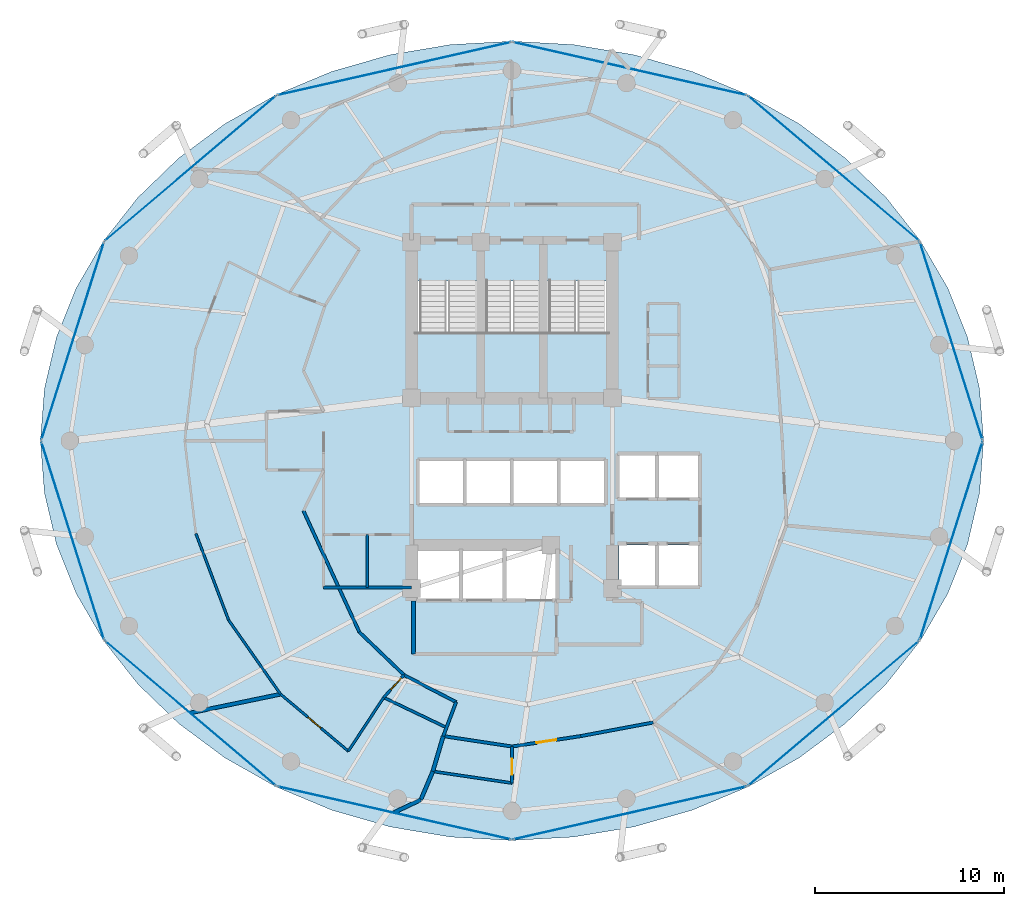
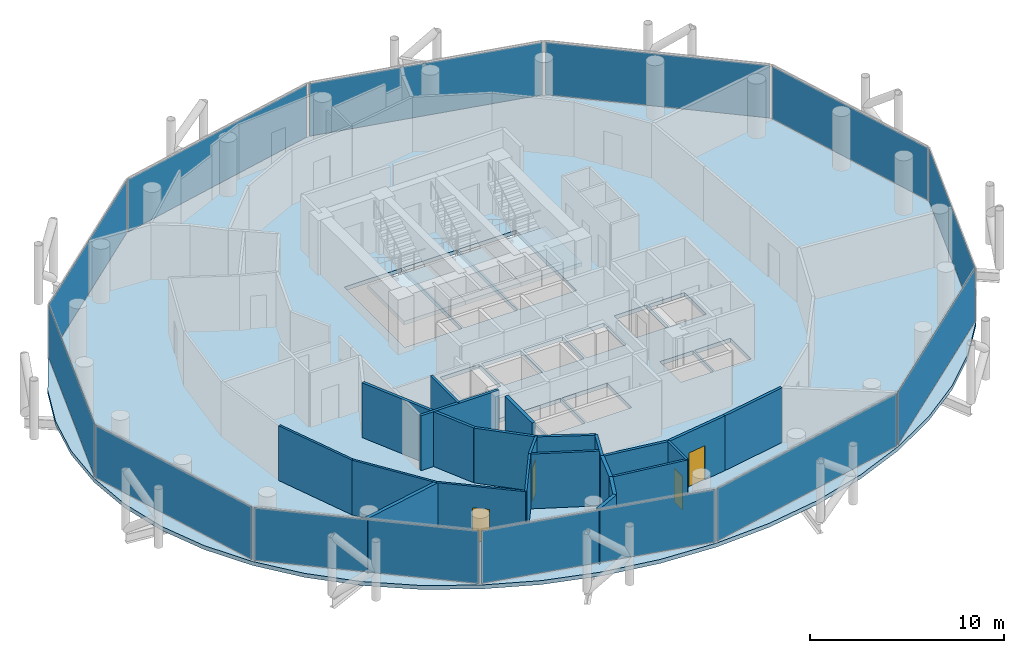
# One storey, part 21 of 26: 22 walls, 12 plates, 4 doors, 4 slabs, 4 openings, 15 elements without a shape of their own.
"""IFC4 building model written with IfcOpenShell, lengths in metres."""

from ifc_helpers import new_model, si_unit, direction, frame, frame_2d, origin, origin_2d, place, context, subcontext, project, spatial, polyline, rectangle, outline, extrude, material, layer, layer_set, type_object, element, fill, aggregate, save


model = new_model("IFC4")

# Units and contexts
model_context = context("Model", 3, precision=1e-05, world=origin(), true_north=direction((0.0, 1.0)))
body_context = subcontext(model_context, "Body", "Model", "MODEL_VIEW")
ifc_project = project(units=[si_unit("LENGTHUNIT", "METRE"), si_unit("AREAUNIT", "SQUARE_METRE"), si_unit("VOLUMEUNIT", "CUBIC_METRE"), si_unit("PLANEANGLEUNIT", "RADIAN"), si_unit("MASSUNIT", "GRAM", prefix="KILO")], contexts=[model_context])

# Site, building, storey
site_placement = place(None, origin())
site = spatial("IfcSite", under=ifc_project, at=site_placement, CompositionType="ELEMENT")
building_placement = place(site_placement, origin())
building = spatial("IfcBuilding", under=site, at=building_placement, Name="Nuhasar Tower", CompositionType="ELEMENT")
storey_placement = place(building_placement, frame((0.0, 0.0, 162.64990234375)))
storey = spatial("IfcBuildingStorey", under=building, at=storey_placement, Name="L39", CompositionType="ELEMENT", Elevation=162.64990234375)

# Curtain wall, plate
ifc_material_1 = material(Name="Aluminium 6063-T6", Category="aluminium")
ifc_layer_1 = layer(ifc_material_1, 0.199951171875)
ifc_layer_set_1 = layer_set([ifc_layer_1], Name="Aluminium 6063-T6")
curtain_wall_type = type_object("IfcCurtainWallType", Name="CW-Z2-HTL", PredefinedType="NOTDEFINED", material=ifc_layer_set_1)
curtain_wall_1_placement = place(storey_placement, origin())
curtain_wall_1 = element("IfcCurtainWall", 1, at=curtain_wall_1_placement, inside=storey, type_object=curtain_wall_type, Name="L39 Unitised Curtain Wall 01", PredefinedType="NOTDEFINED")
ifc_material_2 = material(Name="Glass Double Low-E", Category="glass")
ifc_layer_2 = layer(ifc_material_2, 0.028076171875)
ifc_layer_set_2 = layer_set([ifc_layer_2], Name="Glass Double Low-E")
plate_type = type_object("IfcPlateType", Name="CW-PANEL-GLZ", PredefinedType="CURTAIN_PANEL", material=ifc_layer_set_2)
plate_1_placement = place(storey_placement, frame((62.194580078125, 32.06494140625, 0.070068359375), z_axis=(0.0, 0.0, 1.0), x_axis=(-0.301603667577, 0.953433389233, 0.0)))
plate_1 = element("IfcPlate", 2, at=plate_1_placement, type_object=plate_type, Name="CW-Z2 panel 1.1", PredefinedType="CURTAIN_PANEL", context=body_context, shape_type="SweptSolid", body=[
    extrude(rectangle(XDim=10.904296875, YDim=0.028076171875, at=origin_2d()), origin(), (0.0, 0.0, 1.0), 3.31005859375),
])
aggregate(curtain_wall_1, [plate_1])

curtain_wall_2_placement = place(storey_placement, origin())
curtain_wall_2 = element("IfcCurtainWall", 3, at=curtain_wall_2_placement, inside=storey, type_object=curtain_wall_type, Name="L39 Unitised Curtain Wall 02", PredefinedType="NOTDEFINED")
plate_2_placement = place(storey_placement, frame((55.9794921875, 41.18408203125, 0.070068359375), z_axis=(0.0, 0.0, 1.0), x_axis=(-0.763020370292, 0.646374438324, 0.0)))
plate_2 = element("IfcPlate", 4, at=plate_2_placement, type_object=plate_type, Name="CW-Z2 panel 1.1", PredefinedType="CURTAIN_PANEL", context=body_context, shape_type="SweptSolid", body=[
    extrude(rectangle(XDim=11.784912109375, YDim=0.028076171875, at=origin_2d()), origin(), (0.0, 0.0, 1.0), 3.31005859375),
])
aggregate(curtain_wall_2, [plate_2])

curtain_wall_3_placement = place(storey_placement, origin())
curtain_wall_3 = element("IfcCurtainWall", 5, at=curtain_wall_3_placement, inside=storey, type_object=curtain_wall_type, Name="L39 Unitised Curtain Wall 03", PredefinedType="NOTDEFINED")
plate_3_placement = place(storey_placement, frame((45.215087890625, 46.448974609375, 0.070068359375), z_axis=(0.0, 0.0, 1.0), x_axis=(-0.975183694221, 0.22139729566, 0.0)))
plate_3 = element("IfcPlate", 6, at=plate_3_placement, type_object=plate_type, Name="CW-Z2 panel 1.1", PredefinedType="CURTAIN_PANEL", context=body_context, shape_type="SweptSolid", body=[
    extrude(rectangle(XDim=12.606201171875, YDim=0.028076171875, at=origin_2d()), origin(), (0.0, 0.0, 1.0), 3.31005859375),
])
aggregate(curtain_wall_3, [plate_3])

curtain_wall_4_placement = place(storey_placement, origin())
curtain_wall_4 = element("IfcCurtainWall", 7, at=curtain_wall_4_placement, inside=storey, type_object=curtain_wall_type, Name="L39 Unitised Curtain Wall 04", PredefinedType="NOTDEFINED")
plate_4_placement = place(storey_placement, frame((32.784912109375, 46.448974609375, 0.070068359375), z_axis=(0.0, 0.0, 1.0), x_axis=(-0.975183694221, -0.22139729566, 0.0)))
plate_4 = element("IfcPlate", 8, at=plate_4_placement, type_object=plate_type, Name="CW-Z2 panel 1.1", PredefinedType="CURTAIN_PANEL", context=body_context, shape_type="SweptSolid", body=[
    extrude(rectangle(XDim=12.606201171875, YDim=0.028076171875, at=origin_2d()), origin(), (0.0, 0.0, 1.0), 3.31005859375),
])
aggregate(curtain_wall_4, [plate_4])

curtain_wall_5_placement = place(storey_placement, origin())
curtain_wall_5 = element("IfcCurtainWall", 9, at=curtain_wall_5_placement, inside=storey, type_object=curtain_wall_type, Name="L39 Unitised Curtain Wall 05", PredefinedType="NOTDEFINED")
plate_5_placement = place(storey_placement, frame((22.0205078125, 41.18408203125, 0.070068359375), z_axis=(0.0, 0.0, 1.0), x_axis=(-0.763020370292, -0.646374438324, 0.0)))
plate_5 = element("IfcPlate", 10, at=plate_5_placement, type_object=plate_type, Name="CW-Z2 panel 1.1", PredefinedType="CURTAIN_PANEL", context=body_context, shape_type="SweptSolid", body=[
    extrude(rectangle(XDim=11.784912109375, YDim=0.028076171875, at=origin_2d()), origin(), (0.0, 0.0, 1.0), 3.31005859375),
])
aggregate(curtain_wall_5, [plate_5])

curtain_wall_6_placement = place(storey_placement, origin())
curtain_wall_6 = element("IfcCurtainWall", 11, at=curtain_wall_6_placement, inside=storey, type_object=curtain_wall_type, Name="L39 Unitised Curtain Wall 06", PredefinedType="NOTDEFINED")
plate_6_placement = place(storey_placement, frame((15.805419921875, 32.06494140625, 0.070068359375), z_axis=(0.0, 0.0, 1.0), x_axis=(-0.301603667577, -0.953433389233, 0.0)))
plate_6 = element("IfcPlate", 12, at=plate_6_placement, type_object=plate_type, Name="CW-Z2 panel 1.1", PredefinedType="CURTAIN_PANEL", context=body_context, shape_type="SweptSolid", body=[
    extrude(rectangle(XDim=10.904296875, YDim=0.028076171875, at=origin_2d()), origin(), (0.0, 0.0, 1.0), 3.31005859375),
])
aggregate(curtain_wall_6, [plate_6])

curtain_wall_7_placement = place(storey_placement, origin())
curtain_wall_7 = element("IfcCurtainWall", 13, at=curtain_wall_7_placement, inside=storey, type_object=curtain_wall_type, Name="L39 Unitised Curtain Wall 07", PredefinedType="NOTDEFINED")
plate_7_placement = place(storey_placement, frame((15.805419921875, 21.534912109375, 0.070068359375), z_axis=(0.0, 0.0, 1.0), x_axis=(0.301603667577, -0.953433389233, 0.0)))
plate_7 = element("IfcPlate", 14, at=plate_7_placement, type_object=plate_type, Name="CW-Z2 panel 1.1", PredefinedType="CURTAIN_PANEL", context=body_context, shape_type="SweptSolid", body=[
    extrude(rectangle(XDim=10.904296875, YDim=0.028076171875, at=origin_2d()), origin(), (0.0, 0.0, 1.0), 3.31005859375),
])
aggregate(curtain_wall_7, [plate_7])

curtain_wall_8_placement = place(storey_placement, origin())
curtain_wall_8 = element("IfcCurtainWall", 15, at=curtain_wall_8_placement, inside=storey, type_object=curtain_wall_type, Name="L39 Unitised Curtain Wall 08", PredefinedType="NOTDEFINED")
plate_8_placement = place(storey_placement, frame((22.0205078125, 12.416015625, 0.070068359375), z_axis=(0.0, 0.0, 1.0), x_axis=(0.763020370292, -0.646374438324, 0.0)))
plate_8 = element("IfcPlate", 16, at=plate_8_placement, type_object=plate_type, Name="CW-Z2 panel 1.1", PredefinedType="CURTAIN_PANEL", context=body_context, shape_type="SweptSolid", body=[
    extrude(rectangle(XDim=11.784912109375, YDim=0.028076171875, at=origin_2d()), origin(), (0.0, 0.0, 1.0), 3.31005859375),
])
aggregate(curtain_wall_8, [plate_8])

curtain_wall_9_placement = place(storey_placement, origin())
curtain_wall_9 = element("IfcCurtainWall", 17, at=curtain_wall_9_placement, inside=storey, type_object=curtain_wall_type, Name="L39 Unitised Curtain Wall 09", PredefinedType="NOTDEFINED")
plate_9_placement = place(storey_placement, frame((32.784912109375, 7.15087890625, 0.070068359375), z_axis=(0.0, 0.0, 1.0), x_axis=(0.975183694221, -0.22139729566, 0.0)))
plate_9 = element("IfcPlate", 18, at=plate_9_placement, type_object=plate_type, Name="CW-Z2 panel 1.1", PredefinedType="CURTAIN_PANEL", context=body_context, shape_type="SweptSolid", body=[
    extrude(rectangle(XDim=12.606201171875, YDim=0.028076171875, at=origin_2d()), origin(), (0.0, 0.0, 1.0), 3.31005859375),
])
aggregate(curtain_wall_9, [plate_9])

curtain_wall_10_placement = place(storey_placement, origin())
curtain_wall_10 = element("IfcCurtainWall", 19, at=curtain_wall_10_placement, inside=storey, type_object=curtain_wall_type, Name="L39 Unitised Curtain Wall 10", PredefinedType="NOTDEFINED")
plate_10_placement = place(storey_placement, frame((45.215087890625, 7.15087890625, 0.070068359375), z_axis=(0.0, 0.0, 1.0), x_axis=(0.975183694221, 0.22139729566, 0.0)))
plate_10 = element("IfcPlate", 20, at=plate_10_placement, type_object=plate_type, Name="CW-Z2 panel 1.1", PredefinedType="CURTAIN_PANEL", context=body_context, shape_type="SweptSolid", body=[
    extrude(rectangle(XDim=12.606201171875, YDim=0.028076171875, at=origin_2d()), origin(), (0.0, 0.0, 1.0), 3.31005859375),
])
aggregate(curtain_wall_10, [plate_10])

curtain_wall_11_placement = place(storey_placement, origin())
curtain_wall_11 = element("IfcCurtainWall", 21, at=curtain_wall_11_placement, inside=storey, type_object=curtain_wall_type, Name="L39 Unitised Curtain Wall 11", PredefinedType="NOTDEFINED")
plate_11_placement = place(storey_placement, frame((55.9794921875, 12.416015625, 0.070068359375), z_axis=(0.0, 0.0, 1.0), x_axis=(0.763020370292, 0.646374438324, 0.0)))
plate_11 = element("IfcPlate", 22, at=plate_11_placement, type_object=plate_type, Name="CW-Z2 panel 1.1", PredefinedType="CURTAIN_PANEL", context=body_context, shape_type="SweptSolid", body=[
    extrude(rectangle(XDim=11.784912109375, YDim=0.028076171875, at=origin_2d()), origin(), (0.0, 0.0, 1.0), 3.31005859375),
])
aggregate(curtain_wall_11, [plate_11])

curtain_wall_12_placement = place(storey_placement, origin())
curtain_wall_12 = element("IfcCurtainWall", 23, at=curtain_wall_12_placement, inside=storey, type_object=curtain_wall_type, Name="L39 Unitised Curtain Wall 12", PredefinedType="NOTDEFINED")
plate_12_placement = place(storey_placement, frame((62.194580078125, 21.534912109375, 0.070068359375), z_axis=(0.0, 0.0, 1.0), x_axis=(0.301603667577, 0.953433389233, 0.0)))
plate_12 = element("IfcPlate", 24, at=plate_12_placement, type_object=plate_type, Name="CW-Z2 panel 1.1", PredefinedType="CURTAIN_PANEL", context=body_context, shape_type="SweptSolid", body=[
    extrude(rectangle(XDim=10.904296875, YDim=0.028076171875, at=origin_2d()), origin(), (0.0, 0.0, 1.0), 3.31005859375),
])
aggregate(curtain_wall_12, [plate_12])

# Stair, slab
ifc_material_3 = material(Name="Concrete C45/55", Category="concrete")
stair_type_1 = type_object("IfcStairType", Name="STR-ST-01-2F-22R-1682", PredefinedType="HALF_TURN_STAIR", material=ifc_material_3)
stair_1_placement = place(storey_placement, origin())
stair_1 = element("IfcStair", 25, at=stair_1_placement, inside=storey, type_object=stair_type_1, Name="L39 Exit Stair ST-01", PredefinedType="HALF_TURN_STAIR")
ifc_layer_3 = layer(ifc_material_3, 0.239990234375)
ifc_layer_set_3 = layer_set([ifc_layer_3], Name="Concrete C45/55")
slab_type_1 = type_object("IfcSlabType", Name="SLB-STAIR-LND-240", PredefinedType="LANDING", material=ifc_layer_set_3)
slab_1_placement = place(storey_placement, frame((0.0, 0.0, 1.610107421875)))
slab_1 = element("IfcSlab", 26, at=slab_1_placement, type_object=slab_type_1, Name="ST-01 landing 1", PredefinedType="LANDING", context=body_context, shape_type="SweptSolid", body=[
    extrude(outline(polyline([(33.699951171875, 28.75), (37.35009765625, 28.75), (37.35009765625, 32.52001953125), (33.699951171875, 32.52001953125), (33.699951171875, 28.75)])), origin(), (0.0, 0.0, 1.0), 0.239990234375),
])
aggregate(stair_1, [slab_1])

stair_type_2 = type_object("IfcStairType", Name="STR-ST-03-2F-22R-1682", PredefinedType="HALF_TURN_STAIR", material=ifc_material_3)
stair_2_placement = place(storey_placement, origin())
stair_2 = element("IfcStair", 27, at=stair_2_placement, inside=storey, type_object=stair_type_2, Name="L39 Exit Stair ST-03", PredefinedType="HALF_TURN_STAIR")
slab_2_placement = place(storey_placement, frame((0.0, 0.0, 1.610107421875)))
slab_2 = element("IfcSlab", 28, at=slab_2_placement, type_object=slab_type_1, Name="ST-03 landing 1", PredefinedType="LANDING", context=body_context, shape_type="SweptSolid", body=[
    extrude(outline(polyline([(37.35009765625, 28.75), (40.64990234375, 28.75), (40.64990234375, 32.52001953125), (37.35009765625, 32.52001953125), (37.35009765625, 28.75)])), origin(), (0.0, 0.0, 1.0), 0.239990234375),
])
aggregate(stair_2, [slab_2])

stair_type_3 = type_object("IfcStairType", Name="STR-ST-02-2F-22R-1682", PredefinedType="HALF_TURN_STAIR", material=ifc_material_3)
stair_3_placement = place(storey_placement, origin())
stair_3 = element("IfcStair", 29, at=stair_3_placement, inside=storey, type_object=stair_type_3, Name="L39 Exit Stair ST-02", PredefinedType="HALF_TURN_STAIR")
slab_3_placement = place(storey_placement, frame((0.0, 0.0, 1.610107421875)))
slab_3 = element("IfcSlab", 30, at=slab_3_placement, type_object=slab_type_1, Name="ST-02 landing 1", PredefinedType="LANDING", context=body_context, shape_type="SweptSolid", body=[
    extrude(outline(polyline([(40.64990234375, 28.75), (44.300048828125, 28.75), (44.300048828125, 32.52001953125), (40.64990234375, 32.52001953125), (40.64990234375, 28.75)])), origin(), (0.0, 0.0, 1.0), 0.239990234375),
])
aggregate(stair_3, [slab_3])

# Slab
ifc_layer_4 = layer(ifc_material_3, 0.25)
ifc_layer_set_4 = layer_set([ifc_layer_4], Name="Concrete C45/55")
slab_type_2 = type_object("IfcSlabType", Name="SLB-Z1B-250", PredefinedType="FLOOR", material=ifc_layer_set_4)
slab_4_placement = place(storey_placement, frame((0.0, 0.0, -0.25)))
element("IfcSlab", 31, at=slab_4_placement, inside=storey, type_object=slab_type_2, Name="L39 Structural Slab", PredefinedType="FLOOR", context=body_context, shape_type="SweptSolid", body=[
    extrude(outline(polyline([(63.89990234375, 26.800048828125), (63.68701171875, 29.553955078125), (63.052001953125, 32.260986328125), (62.0048828125, 34.875), (60.56396484375, 37.35009765625), (58.75390625, 39.64501953125), (56.60693359375, 41.719970703125), (54.157958984375, 43.5400390625), (51.449951171875, 45.072998046875), (48.529052734375, 46.2939453125), (45.445068359375, 47.180908203125), (42.25, 47.718994140625), (39.0, 47.89990234375), (35.75, 47.718994140625), (32.554931640625, 47.180908203125), (29.470947265625, 46.2939453125), (26.550048828125, 45.072998046875), (23.842041015625, 43.5400390625), (21.39306640625, 41.719970703125), (19.24609375, 39.64501953125), (17.43603515625, 37.35009765625), (15.9951171875, 34.875), (14.947998046875, 32.260986328125), (14.31298828125, 29.553955078125), (14.10009765625, 26.800048828125), (14.31298828125, 24.0458984375), (14.947998046875, 21.339111328125), (15.9951171875, 18.72509765625), (17.43603515625, 16.25), (19.24609375, 13.955078125), (21.39306640625, 11.8798828125), (23.842041015625, 10.06005859375), (26.550048828125, 8.527099609375), (29.470947265625, 7.305908203125), (32.554931640625, 6.4189453125), (35.75, 5.881103515625), (39.0, 5.699951171875), (42.25, 5.881103515625), (45.445068359375, 6.4189453125), (48.529052734375, 7.305908203125), (51.449951171875, 8.527099609375), (54.157958984375, 10.06005859375), (56.60693359375, 11.8798828125), (58.75390625, 13.955078125), (60.56396484375, 16.25), (62.0048828125, 18.72509765625), (63.052001953125, 21.339111328125), (63.68701171875, 24.0458984375), (63.89990234375, 26.800048828125)]), holes=[polyline([(33.8798828125, 35.25), (37.300048828125, 35.25), (37.300048828125, 29.0), (33.8798828125, 29.0), (33.8798828125, 35.25)]), polyline([(37.39990234375, 35.25), (40.60009765625, 35.25), (40.60009765625, 29.0), (37.39990234375, 29.0), (37.39990234375, 35.25)]), polyline([(40.699951171875, 35.25), (44.1201171875, 35.25), (44.1201171875, 29.0), (40.699951171875, 29.0), (40.699951171875, 35.25)]), polyline([(44.64990234375, 26.050048828125), (46.60009765625, 26.050048828125), (46.60009765625, 23.800048828125), (44.64990234375, 23.800048828125), (44.64990234375, 26.050048828125)]), polyline([(46.699951171875, 26.050048828125), (48.85009765625, 26.050048828125), (48.85009765625, 23.800048828125), (46.699951171875, 23.800048828125), (46.699951171875, 26.050048828125)]), polyline([(44.64990234375, 21.300048828125), (46.60009765625, 21.300048828125), (46.60009765625, 19.14990234375), (44.64990234375, 19.14990234375), (44.64990234375, 21.300048828125)]), polyline([(46.699951171875, 21.300048828125), (48.85009765625, 21.300048828125), (48.85009765625, 19.14990234375), (46.699951171875, 19.14990234375), (46.699951171875, 21.300048828125)]), polyline([(34.10009765625, 25.75), (36.43994140625, 25.75), (36.43994140625, 23.5), (34.10009765625, 23.5), (34.10009765625, 25.75)]), polyline([(36.580078125, 25.75), (38.919921875, 25.75), (38.919921875, 23.5), (36.580078125, 23.5), (36.580078125, 25.75)]), polyline([(39.06005859375, 25.75), (41.39990234375, 25.75), (41.39990234375, 23.5), (39.06005859375, 23.5), (39.06005859375, 25.75)]), polyline([(41.5400390625, 25.75), (43.8798828125, 25.75), (43.8798828125, 23.5), (41.5400390625, 23.5), (41.5400390625, 25.75)]), polyline([(34.050048828125, 21.0), (36.25, 21.0), (36.25, 18.449951171875), (34.050048828125, 18.449951171875), (34.050048828125, 21.0)]), polyline([(36.35009765625, 21.0), (38.550048828125, 21.0), (38.550048828125, 18.449951171875), (36.35009765625, 18.449951171875), (36.35009765625, 21.0)]), polyline([(38.64990234375, 21.0), (41.320068359375, 21.0), (41.320068359375, 18.449951171875), (38.64990234375, 18.449951171875), (38.64990234375, 21.0)])]), origin(), (0.0, 0.0, 1.0), 0.25),
])

# Walls
ifc_material_4 = material(Name="Gypsum Board", Category="gypsum")
ifc_layer_5 = layer(ifc_material_4, 0.159912109375)
ifc_layer_set_5 = layer_set([ifc_layer_5], Name="Gypsum Board")
wall_type_1 = type_object("IfcWallType", Name="WL-CORR-160", PredefinedType="PARTITIONING", material=ifc_layer_set_5)
wall_1_placement = place(storey_placement, frame((29.050048828125, 19.050048828125, 0.0), z_axis=(0.0, 0.0, 1.0), x_axis=(1.0, 0.0, 0.0)))
element("IfcWall", 32, at=wall_1_placement, inside=storey, type_object=wall_type_1, Name="L39 Interior Partition RECL-B1-S", PredefinedType="PARTITIONING", context=body_context, shape_type="SweptSolid", body=[
    extrude(rectangle(XDim=4.64990234375, YDim=0.159912109375, at=frame_2d((2.324951171875, 0.0))), origin(), (0.0, 0.0, 1.0), 3.4501953125),
])
wall_2_placement = place(storey_placement, frame((35.37109375, 11.2099609375, 0.0), z_axis=(0.0, 0.0, 1.0), x_axis=(0.988706844632, -0.149862521593, 0.0)))
element("IfcWall", 33, at=wall_2_placement, inside=storey, type_object=wall_type_1, Name="L39 Interior Partition CORR-34", PredefinedType="PARTITIONING", context=body_context, shape_type="SweptSolid", body=[
    extrude(rectangle(XDim=3.67041015625, YDim=0.159912109375, at=frame_2d((1.835205078125, 0.0))), origin(), (0.0, 0.0, 1.0), 3.4501953125),
])

# Wall, opening, door
wall_3_placement = place(storey_placement, frame((42.62890625, 11.2099609375, 0.0), z_axis=(0.0, 0.0, 1.0), x_axis=(-0.988706844632, -0.149862521593, 0.0)))
wall_3 = element("IfcWall", 34, at=wall_3_placement, inside=storey, type_object=wall_type_1, Name="L39 Interior Partition CORR-36", PredefinedType="PARTITIONING", context=body_context, shape_type="SweptSolid", body=[
    extrude(rectangle(XDim=3.67041015625, YDim=0.159912109375, at=frame_2d((1.835205078125, 0.0))), origin(), (0.0, 0.0, 1.0), 3.4501953125),
])
opening_1_placement = place(wall_3_placement, frame((1.31005859375, 0.0, 0.0)))
opening_1 = element("IfcOpeningElement", 35, at=opening_1_placement, cuts=wall_3, Name="Opening DU-01", PredefinedType="OPENING", context=body_context, shape_type="SweptSolid", body=[
    extrude(rectangle(XDim=1.050048828125, YDim=2.14990234375, at=frame_2d((0.52490234375, 1.074951171875))), frame((0.0, 0.08984375, 0.0), z_axis=(0.0, -1.0, 0.0), x_axis=(1.0, 0.0, 0.0)), (0.0, 0.0, 1.0), 0.179931640625),
])
ifc_material_5 = material(Name="Timber Oak", Category="wood")
door_type_1 = type_object("IfcDoorType", Name="DR-SUITE-FD60-1050", OperationType="NOTDEFINED", PredefinedType="DOOR", material=ifc_material_5)
door_1_placement = place(opening_1_placement, origin())
door_1 = element("IfcDoor", 36, at=door_1_placement, inside=storey, type_object=door_type_1, Name="L39 Ambassador Junior Suite 01 Entrance Door", OperationType="SINGLE_SWING_LEFT", OverallHeight=2.14990234375, OverallWidth=1.050048828125, PredefinedType="DOOR", context=body_context, shape_type="SweptSolid", body=[
    extrude(rectangle(XDim=1.050048828125, YDim=2.14990234375, at=frame_2d((0.52490234375, 1.074951171875))), frame((0.0, 0.02490234375, 0.0), z_axis=(0.0, -1.0, 0.0), x_axis=(1.0, 0.0, 0.0)), (0.0, 0.0, 1.0), 0.050048828125),
])
fill(opening_1, door_1)

# Walls
wall_4_placement = place(storey_placement, frame((42.62890625, 11.2099609375, 0.0), z_axis=(0.0, 0.0, 1.0), x_axis=(0.982869349067, 0.184303669702, 0.0)))
element("IfcWall", 37, at=wall_4_placement, inside=storey, type_object=wall_type_1, Name="L39 Interior Partition CORR-38", PredefinedType="PARTITIONING", context=body_context, shape_type="SweptSolid", body=[
    extrude(rectangle(XDim=3.895751953125, YDim=0.159912109375, at=frame_2d((1.94775390625, 0.0))), origin(), (0.0, 0.0, 1.0), 3.4501953125),
])
wall_5_placement = place(storey_placement, frame((36.049072265625, 13.007080078125, 0.0), z_axis=(0.0, 0.0, 1.0), x_axis=(-0.352975378349, -0.93563261074, 0.0)))
element("IfcWall", 38, at=wall_5_placement, inside=storey, type_object=wall_type_1, Name="L39 Interior Partition HRAD-34-IN", PredefinedType="PARTITIONING", context=body_context, shape_type="SweptSolid", body=[
    extrude(rectangle(XDim=1.920654296875, YDim=0.159912109375, at=frame_2d((0.96044921875, 0.0))), origin(), (0.0, 0.0, 1.0), 3.4501953125),
])
wall_6_placement = place(storey_placement, frame((27.988037109375, 23.10400390625, 0.0), z_axis=(0.0, 0.0, 1.0), x_axis=(0.418656179426, -0.908144814128, 0.0)))
element("IfcWall", 39, at=wall_6_placement, inside=storey, type_object=wall_type_1, Name="L39 Interior Partition HWEST-CORE-S1-26", PredefinedType="PARTITIONING", context=body_context, shape_type="SweptSolid", body=[
    extrude(rectangle(XDim=7.048583984375, YDim=0.159912109375, at=frame_2d((3.5244140625, 0.0))), origin(), (0.0, 0.0, 1.0), 3.4501953125),
])
wall_7_placement = place(storey_placement, frame((30.93896484375, 16.702880859375, 0.0), z_axis=(0.0, 0.0, 1.0), x_axis=(0.72090897908, -0.693029756851, 0.0)))
element("IfcWall", 40, at=wall_7_placement, inside=storey, type_object=wall_type_1, Name="L39 Interior Partition HWEST-CORE-S2-30", PredefinedType="PARTITIONING", context=body_context, shape_type="SweptSolid", body=[
    extrude(rectangle(XDim=3.275146484375, YDim=0.159912109375, at=frame_2d((1.6376953125, 0.0))), origin(), (0.0, 0.0, 1.0), 3.4501953125),
])
wall_8_placement = place(storey_placement, frame((33.300048828125, 14.43310546875, 0.0), z_axis=(0.0, 0.0, 1.0), x_axis=(0.887674575788, -0.460471331898, 0.0)))
element("IfcWall", 41, at=wall_8_placement, inside=storey, type_object=wall_type_1, Name="L39 Interior Partition HWEST-CORE-S2-32", PredefinedType="PARTITIONING", context=body_context, shape_type="SweptSolid", body=[
    extrude(rectangle(XDim=3.096923828125, YDim=0.159912109375, at=frame_2d((1.54833984375, 0.0))), origin(), (0.0, 0.0, 1.0), 3.4501953125),
])
ifc_layer_6 = layer(ifc_material_3, 0.199951171875)
ifc_layer_set_6 = layer_set([ifc_layer_6], Name="Concrete C45/55")
wall_type_2 = type_object("IfcWallType", Name="WL-LOBBY-200", PredefinedType="SOLIDWALL", material=ifc_layer_set_6)
wall_9_placement = place(storey_placement, frame((33.800048828125, 15.550048828125, 0.0), z_axis=(0.0, 0.0, 1.0), x_axis=(0.0, 1.0, 0.0)))
element("IfcWall", 42, at=wall_9_placement, inside=storey, type_object=wall_type_2, Name="L39 Interior Partition FFL-W", PredefinedType="SOLIDWALL", context=body_context, shape_type="SweptSolid", body=[
    extrude(rectangle(XDim=2.800048828125, YDim=0.199951171875, at=frame_2d((1.39990234375, 0.0))), origin(), (0.0, 0.0, 1.0), 3.4501953125),
])
ifc_layer_7 = layer(ifc_material_4, 0.125)
ifc_layer_set_7 = layer_set([ifc_layer_7], Name="Gypsum Board")
wall_type_3 = type_object("IfcWallType", Name="WL-PART-125", PredefinedType="PARTITIONING", material=ifc_layer_set_7)
wall_10_placement = place(storey_placement, frame((31.35009765625, 19.050048828125, 0.0), z_axis=(0.0, 0.0, 1.0), x_axis=(0.0, 1.0, 0.0)))
element("IfcWall", 43, at=wall_10_placement, inside=storey, type_object=wall_type_3, Name="L39 Interior Partition HKPK1-V", PredefinedType="PARTITIONING", context=body_context, shape_type="SweptSolid", body=[
    extrude(rectangle(XDim=2.800048828125, YDim=0.125, at=frame_2d((1.39990234375, 0.0))), origin(), (0.0, 0.0, 1.0), 3.4501953125),
])
wall_11_placement = place(storey_placement, frame((32.22509765625, 13.2470703125, 0.0), z_axis=(0.0, 0.0, 1.0), x_axis=(-0.54998934466, -0.835171671431, 0.0)))
element("IfcWall", 44, at=wall_11_placement, inside=storey, type_object=wall_type_3, Name="L39 Interior Partition HWS2-N", PredefinedType="PARTITIONING", context=body_context, shape_type="SweptSolid", body=[
    extrude(rectangle(XDim=3.390869140625, YDim=0.125, at=frame_2d((1.6953125, 0.0))), origin(), (0.0, 0.0, 1.0), 3.4501953125),
])
wall_12_placement = place(storey_placement, frame((22.30908203125, 21.903076171875, 0.0), z_axis=(0.0, 0.0, 1.0), x_axis=(0.353765495648, -0.935334151033, 0.0)))
element("IfcWall", 45, at=wall_12_placement, inside=storey, type_object=wall_type_3, Name="L39 Interior Partition HWS2-ARC-26", PredefinedType="PARTITIONING", context=body_context, shape_type="SweptSolid", body=[
    extrude(rectangle(XDim=4.87841796875, YDim=0.125, at=frame_2d((2.439208984375, 0.0))), origin(), (0.0, 0.0, 1.0), 3.4501953125),
])
wall_13_placement = place(storey_placement, frame((24.034912109375, 17.340087890625, 0.0), z_axis=(0.0, 0.0, 1.0), x_axis=(0.573955390482, -0.818886567075, 0.0)))
element("IfcWall", 46, at=wall_13_placement, inside=storey, type_object=wall_type_3, Name="L39 Interior Partition HWS2-ARC-28", PredefinedType="PARTITIONING", context=body_context, shape_type="SweptSolid", body=[
    extrude(rectangle(XDim=4.784423828125, YDim=0.125, at=frame_2d((2.39208984375, 0.0))), origin(), (0.0, 0.0, 1.0), 3.4501953125),
])

# Wall, opening, door
wall_14_placement = place(storey_placement, frame((26.781005859375, 13.422119140625, 0.0), z_axis=(0.0, 0.0, 1.0), x_axis=(0.765637985473, -0.643271696253, 0.0)))
wall_14 = element("IfcWall", 47, at=wall_14_placement, inside=storey, type_object=wall_type_3, Name="L39 Interior Partition HWS2-ARC-30", PredefinedType="PARTITIONING", context=body_context, shape_type="SweptSolid", body=[
    extrude(rectangle(XDim=4.674560546875, YDim=0.125, at=frame_2d((2.33740234375, 0.0))), origin(), (0.0, 0.0, 1.0), 3.4501953125),
])
opening_2_placement = place(wall_14_placement, frame((1.886962890625, 0.0, 0.0)))
opening_2 = element("IfcOpeningElement", 48, at=opening_2_placement, cuts=wall_14, Name="Opening DR-01", PredefinedType="OPENING", context=body_context, shape_type="SweptSolid", body=[
    extrude(rectangle(XDim=0.89990234375, YDim=2.10009765625, at=frame_2d((0.449951171875, 1.050048828125))), frame((0.0, 0.072509765625, 0.0), z_axis=(0.0, -1.0, 0.0), x_axis=(1.0, 0.0, 0.0)), (0.0, 0.0, 1.0), 0.14501953125),
])
door_type_2 = type_object("IfcDoorType", Name="DR-ROOM-900", OperationType="NOTDEFINED", PredefinedType="DOOR", material=ifc_material_5)
door_2_placement = place(opening_2_placement, origin())
door_2 = element("IfcDoor", 49, at=door_2_placement, inside=storey, type_object=door_type_2, Name="L39 South-West Presidential Suite Bedroom Door", OperationType="SINGLE_SWING_LEFT", OverallHeight=2.10009765625, OverallWidth=0.89990234375, PredefinedType="DOOR", context=body_context, shape_type="SweptSolid", body=[
    extrude(rectangle(XDim=0.89990234375, YDim=2.10009765625, at=frame_2d((0.449951171875, 1.050048828125))), frame((0.0, 0.02490234375, 0.0), z_axis=(0.0, -1.0, 0.0), x_axis=(1.0, 0.0, 0.0)), (0.0, 0.0, 1.0), 0.050048828125),
])
fill(opening_2, door_2)

# Walls
ifc_material_6 = material(Name="Concrete C40/50 precast", Category="concrete")
ifc_layer_8 = layer(ifc_material_6, 0.199951171875)
ifc_layer_set_8 = layer_set([ifc_layer_8], Name="Concrete C40/50 precast")
wall_type_4 = type_object("IfcWallType", Name="WL-UNIT-200", PredefinedType="PARTITIONING", material=ifc_layer_set_8)
wall_15_placement = place(storey_placement, frame((35.37109375, 11.2099609375, 0.0), z_axis=(0.0, 0.0, 1.0), x_axis=(-0.283485285535, -0.958976586203, 0.0)))
element("IfcWall", 50, at=wall_15_placement, inside=storey, type_object=wall_type_4, Name="L39 Interior Partition HRAD-34-OUT-S1", PredefinedType="PARTITIONING", context=body_context, shape_type="SweptSolid", body=[
    extrude(rectangle(XDim=1.94384765625, YDim=0.199951171875, at=frame_2d((0.971923828125, 0.0))), origin(), (0.0, 0.0, 1.0), 3.4501953125),
])
wall_16_placement = place(storey_placement, frame((34.820068359375, 9.345947265625, 0.0), z_axis=(0.0, 0.0, 1.0), x_axis=(-0.39003681134, -0.920799264661, 0.0)))
element("IfcWall", 51, at=wall_16_placement, inside=storey, type_object=wall_type_4, Name="L39 Interior Partition HRAD-34-OUT-S2", PredefinedType="PARTITIONING", context=body_context, shape_type="SweptSolid", body=[
    extrude(rectangle(XDim=1.62548828125, YDim=0.199951171875, at=frame_2d((0.812744140625, 0.0))), origin(), (0.0, 0.0, 1.0), 3.4501953125),
])
wall_17_placement = place(storey_placement, frame((34.18603515625, 7.84912109375, 0.0), z_axis=(0.0, 0.0, 1.0), x_axis=(-0.902321597734, -0.431063492148, 0.0)))
element("IfcWall", 52, at=wall_17_placement, inside=storey, type_object=wall_type_4, Name="L39 Interior Partition HRAD-34-OUT-S3", PredefinedType="PARTITIONING", context=body_context, shape_type="SweptSolid", body=[
    extrude(rectangle(XDim=1.542724609375, YDim=0.199951171875, at=frame_2d((0.771484375, 0.0))), origin(), (0.0, 0.0, 1.0), 3.4501953125),
])
wall_18_placement = place(storey_placement, frame((26.781005859375, 13.422119140625, 0.0), z_axis=(0.0, 0.0, 1.0), x_axis=(-0.979174362296, -0.203021102897, 0.0)))
element("IfcWall", 53, at=wall_18_placement, inside=storey, type_object=wall_type_4, Name="L39 Interior Partition HWEST-DIV-OUT", PredefinedType="PARTITIONING", context=body_context, shape_type="SweptSolid", body=[
    extrude(rectangle(XDim=4.837890625, YDim=0.199951171875, at=frame_2d((2.4189453125, 0.0))), origin(), (0.0, 0.0, 1.0), 3.4501953125),
])

# Wall, opening, door
ifc_layer_9 = layer(ifc_material_6, 0.139892578125)
ifc_layer_set_9 = layer_set([ifc_layer_9], Name="Concrete C40/50 precast")
wall_type_5 = type_object("IfcWallType", Name="WL-WET-140", PredefinedType="PARTITIONING", material=ifc_layer_set_9)
wall_19_placement = place(storey_placement, frame((39.0, 10.659912109375, 0.0), z_axis=(0.0, 0.0, 1.0), x_axis=(0.0, -1.0, 0.0)))
wall_19 = element("IfcWall", 54, at=wall_19_placement, inside=storey, type_object=wall_type_5, Name="L39 Interior Partition HBW-01", PredefinedType="PARTITIONING", context=body_context, shape_type="SweptSolid", body=[
    extrude(rectangle(XDim=1.929931640625, YDim=0.139892578125, at=frame_2d((0.96484375, 0.0))), origin(), (0.0, 0.0, 1.0), 3.4501953125),
])
opening_3_placement = place(wall_19_placement, frame((0.635986328125, 0.0, 0.0)))
opening_3 = element("IfcOpeningElement", 55, at=opening_3_placement, cuts=wall_19, Name="Opening DB-01", PredefinedType="OPENING", context=body_context, shape_type="SweptSolid", body=[
    extrude(rectangle(XDim=0.85009765625, YDim=2.10009765625, at=frame_2d((0.425048828125, 1.050048828125))), frame((0.0, 0.080078125, 0.0), z_axis=(0.0, -1.0, 0.0), x_axis=(1.0, 0.0, 0.0)), (0.0, 0.0, 1.0), 0.159912109375),
])
door_type_3 = type_object("IfcDoorType", Name="DR-BATH-850", OperationType="NOTDEFINED", PredefinedType="DOOR", material=ifc_material_5)
door_3_placement = place(opening_3_placement, origin())
door_3 = element("IfcDoor", 56, at=door_3_placement, inside=storey, type_object=door_type_3, Name="L39 Ambassador Junior Suite 01 En-Suite Door", OperationType="SINGLE_SWING_RIGHT", OverallHeight=2.10009765625, OverallWidth=0.85009765625, PredefinedType="DOOR", context=body_context, shape_type="SweptSolid", body=[
    extrude(rectangle(XDim=0.85009765625, YDim=2.10009765625, at=frame_2d((0.425048828125, 1.050048828125))), frame((0.0, 0.02490234375, 0.0), z_axis=(0.0, -1.0, 0.0), x_axis=(1.0, 0.0, 0.0)), (0.0, 0.0, 1.0), 0.050048828125),
])
fill(opening_3, door_3)

# Wall
wall_20_placement = place(storey_placement, frame((34.820068359375, 9.345947265625, 0.0), z_axis=(0.0, 0.0, 1.0), x_axis=(0.989315790423, -0.145788431706, 0.0)))
element("IfcWall", 57, at=wall_20_placement, inside=storey, type_object=wall_type_5, Name="L39 Interior Partition HBF-01-34", PredefinedType="PARTITIONING", context=body_context, shape_type="SweptSolid", body=[
    extrude(rectangle(XDim=4.22509765625, YDim=0.139892578125, at=frame_2d((2.112548828125, 0.0))), origin(), (0.0, 0.0, 1.0), 3.4501953125),
])

# Wall, opening, door
wall_21_placement = place(storey_placement, frame((33.300048828125, 14.43310546875, 0.0), z_axis=(0.0, 0.0, 1.0), x_axis=(-0.671556062003, -0.740953747266, 0.0)))
wall_21 = element("IfcWall", 58, at=wall_21_placement, inside=storey, type_object=wall_type_5, Name="L39 Interior Partition HBW2-N", PredefinedType="PARTITIONING", context=body_context, shape_type="SweptSolid", body=[
    extrude(rectangle(XDim=1.6005859375, YDim=0.139892578125, at=frame_2d((0.80029296875, 0.0))), origin(), (0.0, 0.0, 1.0), 3.4501953125),
])
opening_4_placement = place(wall_21_placement, frame((0.199951171875, 0.0, 0.0)))
opening_4 = element("IfcOpeningElement", 59, at=opening_4_placement, cuts=wall_21, Name="Opening DB-01", PredefinedType="OPENING", context=body_context, shape_type="SweptSolid", body=[
    extrude(rectangle(XDim=0.85009765625, YDim=2.10009765625, at=frame_2d((0.425048828125, 1.050048828125))), frame((0.0, 0.080078125, 0.0), z_axis=(0.0, -1.0, 0.0), x_axis=(1.0, 0.0, 0.0)), (0.0, 0.0, 1.0), 0.159912109375),
])
door_4_placement = place(opening_4_placement, origin())
door_4 = element("IfcDoor", 60, at=door_4_placement, inside=storey, type_object=door_type_3, Name="L39 South-West Presidential Suite En-Suite Door", OperationType="SINGLE_SWING_LEFT", OverallHeight=2.10009765625, OverallWidth=0.85009765625, PredefinedType="DOOR", context=body_context, shape_type="SweptSolid", body=[
    extrude(rectangle(XDim=0.85009765625, YDim=2.10009765625, at=frame_2d((0.425048828125, 1.050048828125))), frame((0.0, 0.02490234375, 0.0), z_axis=(0.0, -1.0, 0.0), x_axis=(1.0, 0.0, 0.0)), (0.0, 0.0, 1.0), 0.050048828125),
])
fill(opening_4, door_4)

# Wall
wall_22_placement = place(storey_placement, frame((32.22509765625, 13.2470703125, 0.0), z_axis=(0.0, 0.0, 1.0), x_axis=(0.902016722043, -0.431701092372, 0.0)))
element("IfcWall", 61, at=wall_22_placement, inside=storey, type_object=wall_type_5, Name="L39 Interior Partition HBW2-E", PredefinedType="PARTITIONING", context=body_context, shape_type="SweptSolid", body=[
    extrude(rectangle(XDim=3.622802734375, YDim=0.139892578125, at=frame_2d((1.8115234375, 0.0))), origin(), (0.0, 0.0, 1.0), 3.4501953125),
])

save(model, "model.ifc")
